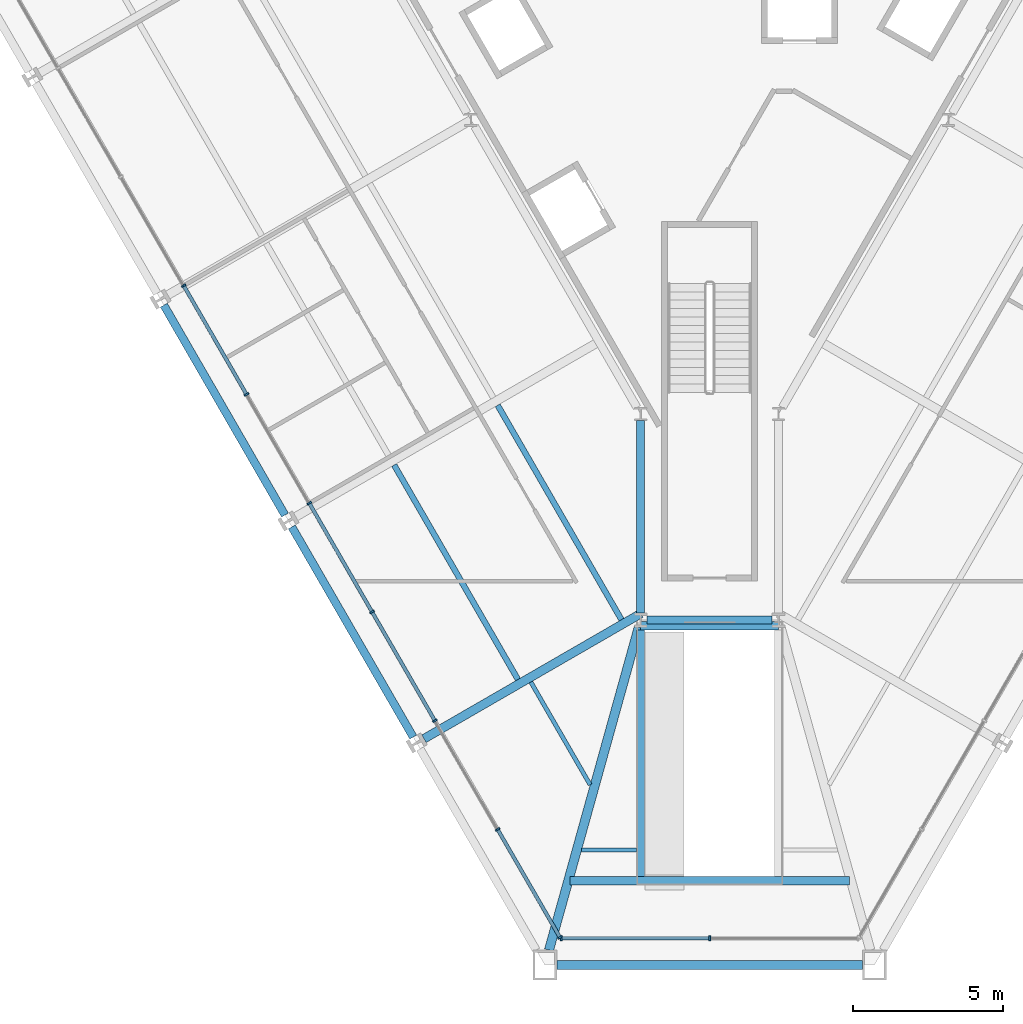
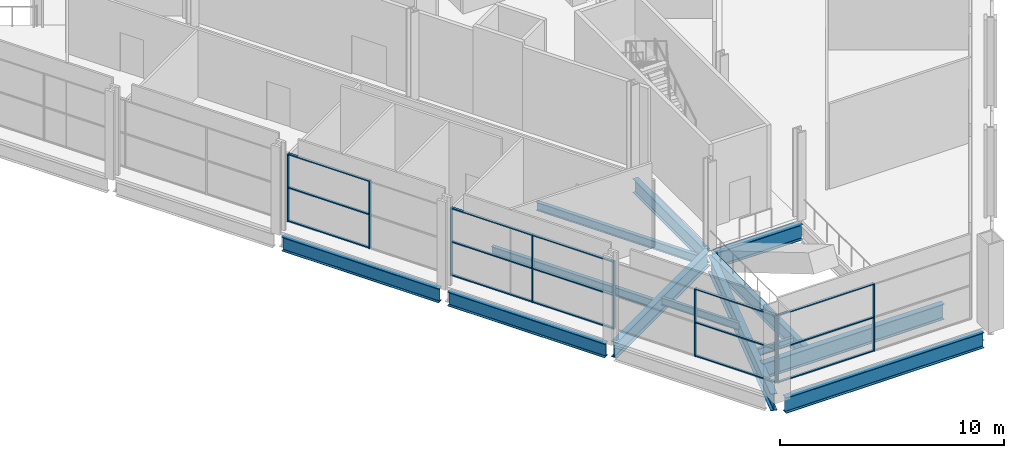
# One storey, part 2 of 18: 24 members, 14 beams, 2 elements without a shape of their own.
"""IFC4 building model written with IfcOpenShell, lengths in metres."""

from ifc_helpers import new_model, si_unit, direction, frame, origin, origin_2d, place, context, subcontext, project, spatial, rectangle, i_section, extrude, material, layer, layer_set, material_profile, profile_set, type_object, element, aggregate, save


model = new_model("IFC4")

# Units and contexts
model_context = context("Model", 3, precision=1e-05, world=origin(), true_north=direction((0.0, 1.0)))
body_context = subcontext(model_context, "Body", "Model", "MODEL_VIEW")
ifc_project = project(units=[si_unit("LENGTHUNIT", "METRE"), si_unit("AREAUNIT", "SQUARE_METRE"), si_unit("VOLUMEUNIT", "CUBIC_METRE"), si_unit("PLANEANGLEUNIT", "RADIAN"), si_unit("MASSUNIT", "GRAM", prefix="KILO")], contexts=[model_context])

# Site, building, storey
site_placement = place(None, origin())
site = spatial("IfcSite", under=ifc_project, at=site_placement, CompositionType="ELEMENT")
building_placement = place(site_placement, origin())
building = spatial("IfcBuilding", under=site, at=building_placement, Name="Verrane Prism Tower", CompositionType="ELEMENT")
storey_placement = place(building_placement, frame((0.0, 0.0, 22.39990234375)))
storey = spatial("IfcBuildingStorey", under=building, at=storey_placement, Name="L03", CompositionType="ELEMENT", Elevation=22.39990234375)

# Curtain wall, members
ifc_material_1 = material(Name="Aluminium and glass curtain wall", Category="aluminium")
ifc_layer = layer(ifc_material_1, 0.199951171875)
ifc_layer_set = layer_set([ifc_layer], Name="CWB-1 retail curtain wall")
curtain_wall_type = type_object("IfcCurtainWallType", Name="CWB-1 retail curtain wall", PredefinedType="NOTDEFINED", material=ifc_layer_set)
curtain_wall_1_placement = place(storey_placement, origin())
curtain_wall_1 = element("IfcCurtainWall", 1, at=curtain_wall_1_placement, inside=storey, type_object=curtain_wall_type, Name="Retail curtain wall L03 4", PredefinedType="NOTDEFINED")
ifc_material_2 = material(Name="Aluminium", Category="aluminium")
ifc_material_profile_1 = material_profile(ifc_material_2, rectangle(XDim=0.159912109375, YDim=0.06005859375, at=origin_2d()), Name="CWB-M 60x160 mullion")
ifc_profile_set_1 = profile_set([ifc_material_profile_1], Name="Aluminium")
member_type_1 = type_object("IfcMemberType", Name="CWB-M 60x160 mullion", PredefinedType="MULLION", material=ifc_profile_set_1)
member_1_placement = place(storey_placement, frame((-17.554443359375, -10.135009765625, 0.0), z_axis=(0.0, 0.0, 1.0), x_axis=(0.866025335097, 0.50000011897, 0.0)))
member_1 = element("IfcMember", 2, at=member_1_placement, type_object=member_type_1, Name="CWB34 mullion 7", PredefinedType="MULLION", context=body_context, shape_type="SweptSolid", body=[
    extrude(rectangle(XDim=0.159912109375, YDim=0.06005859375, at=origin_2d()), origin(), (0.0, 0.0, 1.0), 3.690185546875),
])
member_2_placement = place(storey_placement, frame((-15.458740234375, -13.764892578125, 0.0), z_axis=(0.0, 0.0, 1.0), x_axis=(0.866025335097, 0.50000011897, 0.0)))
member_2 = element("IfcMember", 3, at=member_2_placement, type_object=member_type_1, Name="CWB34 mullion 8", PredefinedType="MULLION", context=body_context, shape_type="SweptSolid", body=[
    extrude(rectangle(XDim=0.159912109375, YDim=0.06005859375, at=origin_2d()), origin(), (0.0, 0.0, 1.0), 3.690185546875),
])
member_3_placement = place(storey_placement, frame((-13.363037109375, -17.39453125, 0.0), z_axis=(0.0, 0.0, 1.0), x_axis=(0.866025335097, 0.50000011897, 0.0)))
member_3 = element("IfcMember", 4, at=member_3_placement, type_object=member_type_1, Name="CWB34 mullion 9", PredefinedType="MULLION", context=body_context, shape_type="SweptSolid", body=[
    extrude(rectangle(XDim=0.159912109375, YDim=0.06005859375, at=origin_2d()), origin(), (0.0, 0.0, 1.0), 3.690185546875),
])
member_4_placement = place(storey_placement, frame((-11.267333984375, -21.0244140625, 0.0), z_axis=(0.0, 0.0, 1.0), x_axis=(0.866025335097, 0.50000011897, 0.0)))
member_4 = element("IfcMember", 5, at=member_4_placement, type_object=member_type_1, Name="CWB34 mullion 10", PredefinedType="MULLION", context=body_context, shape_type="SweptSolid", body=[
    extrude(rectangle(XDim=0.159912109375, YDim=0.06005859375, at=origin_2d()), origin(), (0.0, 0.0, 1.0), 3.690185546875),
])
member_5_placement = place(storey_placement, frame((-9.171630859375, -24.654052734375, 0.0), z_axis=(0.0, 0.0, 1.0), x_axis=(0.866025335097, 0.50000011897, 0.0)))
member_5 = element("IfcMember", 6, at=member_5_placement, type_object=member_type_1, Name="CWB34 mullion 11", PredefinedType="MULLION", context=body_context, shape_type="SweptSolid", body=[
    extrude(rectangle(XDim=0.159912109375, YDim=0.06005859375, at=origin_2d()), origin(), (0.0, 0.0, 1.0), 3.690185546875),
])
member_6_placement = place(storey_placement, frame((-7.075927734375, -28.283935546875, 0.0), z_axis=(0.0, 0.0, 1.0), x_axis=(0.866025335097, 0.50000011897, 0.0)))
member_6 = element("IfcMember", 7, at=member_6_placement, type_object=member_type_1, Name="CWB34 mullion 12", PredefinedType="MULLION", context=body_context, shape_type="SweptSolid", body=[
    extrude(rectangle(XDim=0.159912109375, YDim=0.06005859375, at=origin_2d()), origin(), (0.0, 0.0, 1.0), 3.690185546875),
])
member_7_placement = place(storey_placement, frame((-4.995361328125, -31.8876953125, 0.0), z_axis=(0.0, 0.0, 1.0), x_axis=(0.866025335097, 0.50000011897, 0.0)))
member_7 = element("IfcMember", 8, at=member_7_placement, type_object=member_type_1, Name="CWB34 mullion 13", PredefinedType="MULLION", context=body_context, shape_type="SweptSolid", body=[
    extrude(rectangle(XDim=0.159912109375, YDim=0.06005859375, at=origin_2d()), origin(), (0.0, 0.0, 1.0), 3.690185546875),
])

curtain_wall_2_placement = place(storey_placement, origin())
curtain_wall_2 = element("IfcCurtainWall", 9, at=curtain_wall_2_placement, inside=storey, type_object=curtain_wall_type, Name="Retail curtain wall L03 5", PredefinedType="NOTDEFINED")
member_8_placement = place(storey_placement, frame((-4.950439453125, -31.913818359375, 0.0), z_axis=(0.0, 0.0, 1.0), x_axis=(0.0, 1.0, 0.0)))
member_8 = element("IfcMember", 10, at=member_8_placement, type_object=member_type_1, Name="CWB35 mullion 1", PredefinedType="MULLION", context=body_context, shape_type="SweptSolid", body=[
    extrude(rectangle(XDim=0.159912109375, YDim=0.06005859375, at=origin_2d()), origin(), (0.0, 0.0, 1.0), 3.690185546875),
])
member_9_placement = place(storey_placement, frame((0.0, -31.913818359375, 0.0), z_axis=(0.0, 0.0, 1.0), x_axis=(0.0, 1.0, 0.0)))
member_9 = element("IfcMember", 11, at=member_9_placement, type_object=member_type_1, Name="CWB35 mullion 2", PredefinedType="MULLION", context=body_context, shape_type="SweptSolid", body=[
    extrude(rectangle(XDim=0.159912109375, YDim=0.06005859375, at=origin_2d()), origin(), (0.0, 0.0, 1.0), 3.690185546875),
])

# Member
ifc_material_3 = material(Name="Aluminium", Category="aluminium")
ifc_material_profile_2 = material_profile(ifc_material_3, rectangle(XDim=0.1201171875, YDim=0.06005859375, at=origin_2d()), Name="CWB-T 60x120 transom")
ifc_profile_set_2 = profile_set([ifc_material_profile_2], Name="Aluminium")
member_type_2 = type_object("IfcMemberType", Name="CWB-T 60x120 transom", PredefinedType="USERDEFINED", material=ifc_profile_set_2)
member_10_placement = place(storey_placement, frame((-17.539306640625, -10.160888671875, 0.030029296875), z_axis=(0.499996977546, -0.866027148792, 0.0), x_axis=(0.866027148792, 0.499996977546, 0.0)))
member_10 = element("IfcMember", 12, at=member_10_placement, type_object=member_type_2, Name="CWB34 transom 7.1", ObjectType="TRANSOM", PredefinedType="USERDEFINED", context=body_context, shape_type="SweptSolid", body=[
    extrude(rectangle(XDim=0.1201171875, YDim=0.06005859375, at=origin_2d()), origin(), (0.0, 0.0, 1.0), 4.13134765625),
])

member_11_placement = place(storey_placement, frame((-17.539306640625, -10.160888671875, 1.84521484375), z_axis=(0.499996977546, -0.866027148792, 0.0), x_axis=(0.866027148792, 0.499996977546, 0.0)))
member_11 = element("IfcMember", 13, at=member_11_placement, type_object=member_type_2, Name="CWB34 transom 7.2", ObjectType="TRANSOM", PredefinedType="USERDEFINED", context=body_context, shape_type="SweptSolid", body=[
    extrude(rectangle(XDim=0.1201171875, YDim=0.06005859375, at=origin_2d()), origin(), (0.0, 0.0, 1.0), 4.13134765625),
])

member_12_placement = place(storey_placement, frame((-17.539306640625, -10.160888671875, 3.66015625), z_axis=(0.499996977546, -0.866027148792, 0.0), x_axis=(0.866027148792, 0.499996977546, 0.0)))
member_12 = element("IfcMember", 14, at=member_12_placement, type_object=member_type_2, Name="CWB34 transom 7.3", ObjectType="TRANSOM", PredefinedType="USERDEFINED", context=body_context, shape_type="SweptSolid", body=[
    extrude(rectangle(XDim=0.1201171875, YDim=0.06005859375, at=origin_2d()), origin(), (0.0, 0.0, 1.0), 4.13134765625),
])

member_13_placement = place(storey_placement, frame((-13.347900390625, -17.420654296875, 0.030029296875), z_axis=(0.499978243488, -0.866037964548, 0.0), x_axis=(0.866037964548, 0.499978243488, 0.0)))
member_13 = element("IfcMember", 15, at=member_13_placement, type_object=member_type_2, Name="CWB34 transom 9.1", ObjectType="TRANSOM", PredefinedType="USERDEFINED", context=body_context, shape_type="SweptSolid", body=[
    extrude(rectangle(XDim=0.1201171875, YDim=0.06005859375, at=origin_2d()), origin(), (0.0, 0.0, 1.0), 4.131103515625),
])

member_14_placement = place(storey_placement, frame((-13.347900390625, -17.420654296875, 1.84521484375), z_axis=(0.499978243488, -0.866037964548, 0.0), x_axis=(0.866037964548, 0.499978243488, 0.0)))
member_14 = element("IfcMember", 16, at=member_14_placement, type_object=member_type_2, Name="CWB34 transom 9.2", ObjectType="TRANSOM", PredefinedType="USERDEFINED", context=body_context, shape_type="SweptSolid", body=[
    extrude(rectangle(XDim=0.1201171875, YDim=0.06005859375, at=origin_2d()), origin(), (0.0, 0.0, 1.0), 4.131103515625),
])

member_15_placement = place(storey_placement, frame((-13.347900390625, -17.420654296875, 3.66015625), z_axis=(0.499978243488, -0.866037964548, 0.0), x_axis=(0.866037964548, 0.499978243488, 0.0)))
member_15 = element("IfcMember", 17, at=member_15_placement, type_object=member_type_2, Name="CWB34 transom 9.3", ObjectType="TRANSOM", PredefinedType="USERDEFINED", context=body_context, shape_type="SweptSolid", body=[
    extrude(rectangle(XDim=0.1201171875, YDim=0.06005859375, at=origin_2d()), origin(), (0.0, 0.0, 1.0), 4.131103515625),
])

member_16_placement = place(storey_placement, frame((-11.25244140625, -21.05029296875, 0.030029296875), z_axis=(0.499996977546, -0.866027148792, 0.0), x_axis=(0.866027148792, 0.499996977546, 0.0)))
member_16 = element("IfcMember", 18, at=member_16_placement, type_object=member_type_2, Name="CWB34 transom 10.1", ObjectType="TRANSOM", PredefinedType="USERDEFINED", context=body_context, shape_type="SweptSolid", body=[
    extrude(rectangle(XDim=0.1201171875, YDim=0.06005859375, at=origin_2d()), origin(), (0.0, 0.0, 1.0), 4.13134765625),
])

member_17_placement = place(storey_placement, frame((-11.25244140625, -21.05029296875, 1.84521484375), z_axis=(0.499996977546, -0.866027148792, 0.0), x_axis=(0.866027148792, 0.499996977546, 0.0)))
member_17 = element("IfcMember", 19, at=member_17_placement, type_object=member_type_2, Name="CWB34 transom 10.2", ObjectType="TRANSOM", PredefinedType="USERDEFINED", context=body_context, shape_type="SweptSolid", body=[
    extrude(rectangle(XDim=0.1201171875, YDim=0.06005859375, at=origin_2d()), origin(), (0.0, 0.0, 1.0), 4.13134765625),
])

member_18_placement = place(storey_placement, frame((-11.25244140625, -21.05029296875, 3.66015625), z_axis=(0.499996977546, -0.866027148792, 0.0), x_axis=(0.866027148792, 0.499996977546, 0.0)))
member_18 = element("IfcMember", 20, at=member_18_placement, type_object=member_type_2, Name="CWB34 transom 10.3", ObjectType="TRANSOM", PredefinedType="USERDEFINED", context=body_context, shape_type="SweptSolid", body=[
    extrude(rectangle(XDim=0.1201171875, YDim=0.06005859375, at=origin_2d()), origin(), (0.0, 0.0, 1.0), 4.13134765625),
])

member_19_placement = place(storey_placement, frame((-7.06103515625, -28.309814453125, 0.030029296875), z_axis=(0.499961200281, -0.866047803654, 0.0), x_axis=(0.866047803654, 0.499961200281, 0.0)))
member_19 = element("IfcMember", 21, at=member_19_placement, type_object=member_type_2, Name="CWB34 transom 12.1", ObjectType="TRANSOM", PredefinedType="USERDEFINED", context=body_context, shape_type="SweptSolid", body=[
    extrude(rectangle(XDim=0.1201171875, YDim=0.06005859375, at=origin_2d()), origin(), (0.0, 0.0, 1.0), 4.101318359375),
])

member_20_placement = place(storey_placement, frame((-7.06103515625, -28.309814453125, 1.84521484375), z_axis=(0.499961200281, -0.866047803654, 0.0), x_axis=(0.866047803654, 0.499961200281, 0.0)))
member_20 = element("IfcMember", 22, at=member_20_placement, type_object=member_type_2, Name="CWB34 transom 12.2", ObjectType="TRANSOM", PredefinedType="USERDEFINED", context=body_context, shape_type="SweptSolid", body=[
    extrude(rectangle(XDim=0.1201171875, YDim=0.06005859375, at=origin_2d()), origin(), (0.0, 0.0, 1.0), 4.101318359375),
])

member_21_placement = place(storey_placement, frame((-7.06103515625, -28.309814453125, 3.66015625), z_axis=(0.499961200281, -0.866047803654, 0.0), x_axis=(0.866047803654, 0.499961200281, 0.0)))
member_21 = element("IfcMember", 23, at=member_21_placement, type_object=member_type_2, Name="CWB34 transom 12.3", ObjectType="TRANSOM", PredefinedType="USERDEFINED", context=body_context, shape_type="SweptSolid", body=[
    extrude(rectangle(XDim=0.1201171875, YDim=0.06005859375, at=origin_2d()), origin(), (0.0, 0.0, 1.0), 4.101318359375),
])

aggregate(curtain_wall_1, [member_1, member_2, member_3, member_4, member_5, member_6, member_7, member_10, member_11, member_12, member_13, member_14, member_15, member_16, member_17, member_18, member_19, member_20, member_21])

member_22_placement = place(storey_placement, frame((-4.92041015625, -31.913818359375, 0.030029296875), z_axis=(1.0, 0.0, 0.0), x_axis=(0.0, 1.0, 0.0)))
member_22 = element("IfcMember", 24, at=member_22_placement, type_object=member_type_2, Name="CWB35 transom 1.1", ObjectType="TRANSOM", PredefinedType="USERDEFINED", context=body_context, shape_type="SweptSolid", body=[
    extrude(rectangle(XDim=0.1201171875, YDim=0.06005859375, at=origin_2d()), origin(), (0.0, 0.0, 1.0), 4.890380859375),
])

member_23_placement = place(storey_placement, frame((-4.92041015625, -31.913818359375, 1.84521484375), z_axis=(1.0, 0.0, 0.0), x_axis=(0.0, 1.0, 0.0)))
member_23 = element("IfcMember", 25, at=member_23_placement, type_object=member_type_2, Name="CWB35 transom 1.2", ObjectType="TRANSOM", PredefinedType="USERDEFINED", context=body_context, shape_type="SweptSolid", body=[
    extrude(rectangle(XDim=0.1201171875, YDim=0.06005859375, at=origin_2d()), origin(), (0.0, 0.0, 1.0), 4.890380859375),
])

member_24_placement = place(storey_placement, frame((-4.92041015625, -31.913818359375, 3.66015625), z_axis=(1.0, 0.0, 0.0), x_axis=(0.0, 1.0, 0.0)))
member_24 = element("IfcMember", 26, at=member_24_placement, type_object=member_type_2, Name="CWB35 transom 1.3", ObjectType="TRANSOM", PredefinedType="USERDEFINED", context=body_context, shape_type="SweptSolid", body=[
    extrude(rectangle(XDim=0.1201171875, YDim=0.06005859375, at=origin_2d()), origin(), (0.0, 0.0, 1.0), 4.890380859375),
])

aggregate(curtain_wall_2, [member_8, member_9, member_22, member_23, member_24])

# Beams
ifc_material_4 = material(Name="Steel A992", Category="steel")
ifc_material_profile_3 = material_profile(ifc_material_4, i_section(OverallWidth=0.2919921875, OverallDepth=0.845703125, WebThickness=0.015380859375, FlangeThickness=0.0244140625, FilletRadius=0.017822265625, at=origin_2d()), Name="W33x141")
ifc_profile_set_3 = profile_set([ifc_material_profile_3], Name="Steel A992")
beam_type_1 = type_object("IfcBeamType", Name="Chamfer spandrel beam W33x141", PredefinedType="SPANDREL", material=ifc_profile_set_3)
beam_1_placement = place(storey_placement, frame((-5.10009765625, -32.81005859375, -0.582763671875), z_axis=(1.0, 0.0, 0.0), x_axis=(0.0, 1.0, 0.0)))
element("IfcBeam", 27, at=beam_1_placement, inside=storey, type_object=beam_type_1, Name="Chamfer spandrel beam L03", PredefinedType="SPANDREL", context=body_context, shape_type="SweptSolid", body=[
    extrude(i_section(OverallWidth=0.2919921875, OverallDepth=0.845703125, WebThickness=0.015380859375, FlangeThickness=0.0244140625, FilletRadius=0.017822265625, at=origin_2d()), origin(), (0.0, 0.0, 1.0), 10.2001953125),
])
ifc_material_5 = material(Name="Steel A992", Category="steel")
ifc_material_profile_4 = material_profile(ifc_material_5, i_section(OverallWidth=0.2666015625, OverallDepth=0.76708984375, WebThickness=0.014892578125, FlangeThickness=0.023681640625, FilletRadius=0.0166015625, at=origin_2d()), Name="W30x124")
ifc_profile_set_4 = profile_set([ifc_material_profile_4], Name="Steel A992")
beam_type_2 = type_object("IfcBeamType", Name="Core ring girder W30x124", PredefinedType="BEAM", material=ifc_profile_set_4)
beam_2_placement = place(storey_placement, frame((-2.300048828125, -14.63720703125, -0.63330078125), z_axis=(0.0, -1.0, 0.0), x_axis=(1.0, 0.0, 0.0)))
element("IfcBeam", 28, at=beam_2_placement, inside=storey, type_object=beam_type_2, Name="Core ring girder L03", PredefinedType="BEAM", context=body_context, shape_type="SweptSolid", body=[
    extrude(i_section(OverallWidth=0.2666015625, OverallDepth=0.76708984375, WebThickness=0.014892578125, FlangeThickness=0.023681640625, FilletRadius=0.0166015625, at=origin_2d()), origin(), (0.0, 0.0, 1.0), 6.42529296875),
])
beam_3_placement = place(storey_placement, frame((-2.087890625, -21.300048828125, -0.63330078125), z_axis=(1.0, 0.0, 0.0), x_axis=(0.0, 1.0, 0.0)))
element("IfcBeam", 29, at=beam_3_placement, inside=storey, type_object=beam_type_2, Name="Core ring girder L03", PredefinedType="BEAM", context=body_context, shape_type="SweptSolid", body=[
    extrude(i_section(OverallWidth=0.2666015625, OverallDepth=0.76708984375, WebThickness=0.014892578125, FlangeThickness=0.023681640625, FilletRadius=0.0166015625, at=origin_2d()), origin(), (0.0, 0.0, 1.0), 4.17578125),
])
ifc_material_6 = material(Name="Steel A992", Category="steel")
ifc_material_profile_5 = material_profile(ifc_material_6, i_section(OverallWidth=0.307373046875, OverallDepth=0.927001953125, WebThickness=0.01953125, FlangeThickness=0.031982421875, FilletRadius=0.01904296875, at=origin_2d()), Name="W36x194")
ifc_profile_set_5 = profile_set([ifc_material_profile_5], Name="Steel A992")
beam_type_3 = type_object("IfcBeamType", Name="Corner girder W36x194", PredefinedType="BEAM", material=ifc_profile_set_5)
beam_4_placement = place(storey_placement, frame((-5.361083984375, -32.31005859375, -0.68359375), z_axis=(0.267873594468, 0.963454066049, 0.0), x_axis=(-0.963454066049, 0.267873594468, 0.0)))
element("IfcBeam", 30, at=beam_4_placement, inside=storey, type_object=beam_type_3, Name="Corner girder L03", PredefinedType="BEAM", context=body_context, shape_type="SweptSolid", body=[
    extrude(i_section(OverallWidth=0.307373046875, OverallDepth=0.927001953125, WebThickness=0.01953125, FlangeThickness=0.031982421875, FilletRadius=0.01904296875, at=origin_2d()), origin(), (0.0, 0.0, 1.0), 11.18115234375),
])
ifc_material_7 = material(Name="Steel A992", Category="steel")
ifc_material_profile_6 = material_profile(ifc_material_7, i_section(OverallWidth=0.140380859375, OverallDepth=0.40380859375, WebThickness=0.007080078125, FlangeThickness=0.01123046875, FilletRadius=0.01025390625, at=origin_2d()), Name="W16x31")
ifc_profile_set_6 = profile_set([ifc_material_profile_6], Name="Steel A992")
beam_type_4 = type_object("IfcBeamType", Name="Floor beam W16x31", PredefinedType="BEAM", material=ifc_profile_set_6)
beam_5_placement = place(storey_placement, frame((-3.9873046875, -26.795654296875, -0.36181640625), z_axis=(-0.499978641112, 0.866037734993, 0.0), x_axis=(-0.866037734993, -0.499978641112, 0.0)))
element("IfcBeam", 31, at=beam_5_placement, inside=storey, type_object=beam_type_4, Name="Floor beam L03", PredefinedType="BEAM", context=body_context, shape_type="SweptSolid", body=[
    extrude(i_section(OverallWidth=0.140380859375, OverallDepth=0.40380859375, WebThickness=0.007080078125, FlangeThickness=0.01123046875, FilletRadius=0.01025390625, at=origin_2d()), origin(), (0.0, 0.0, 1.0), 3.959716796875),
])
beam_6_placement = place(storey_placement, frame((-4.27392578125, -28.973388671875, -0.36181640625), z_axis=(1.0, 0.0, 0.0), x_axis=(0.0, 1.0, 0.0)))
element("IfcBeam", 32, at=beam_6_placement, inside=storey, type_object=beam_type_4, Name="Floor beam L03", PredefinedType="BEAM", context=body_context, shape_type="SweptSolid", body=[
    extrude(i_section(OverallWidth=0.140380859375, OverallDepth=0.40380859375, WebThickness=0.007080078125, FlangeThickness=0.01123046875, FilletRadius=0.01025390625, at=origin_2d()), origin(), (0.0, 0.0, 1.0), 1.84033203125),
])
ifc_material_8 = material(Name="Steel A992", Category="steel")
ifc_material_profile_7 = material_profile(ifc_material_8, i_section(OverallWidth=0.1904296875, OverallDepth=0.457275390625, WebThickness=0.009033203125, FlangeThickness=0.014404296875, FilletRadius=0.01025390625, at=origin_2d()), Name="W18x50")
ifc_profile_set_7 = profile_set([ifc_material_profile_7], Name="Steel A992")
beam_type_5 = type_object("IfcBeamType", Name="Floor beam W18x50", PredefinedType="BEAM", material=ifc_profile_set_7)
beam_7_placement = place(storey_placement, frame((-2.943603515625, -21.283203125, -0.388427734375), z_axis=(-0.500014123243, 0.866017249573, 0.0), x_axis=(-0.866017249573, -0.500014123243, 0.0)))
element("IfcBeam", 33, at=beam_7_placement, inside=storey, type_object=beam_type_5, Name="Floor beam L03", PredefinedType="BEAM", context=body_context, shape_type="SweptSolid", body=[
    extrude(i_section(OverallWidth=0.1904296875, OverallDepth=0.457275390625, WebThickness=0.009033203125, FlangeThickness=0.014404296875, FilletRadius=0.01025390625, at=origin_2d()), origin(), (0.0, 0.0, 1.0), 8.260009765625),
])
beam_8_placement = place(storey_placement, frame((-6.39892578125, -23.27880859375, -0.388427734375), z_axis=(-0.499996977546, 0.866027148792, 0.0), x_axis=(-0.866027148792, -0.499996977546, 0.0)))
element("IfcBeam", 34, at=beam_8_placement, inside=storey, type_object=beam_type_5, Name="Floor beam L03", PredefinedType="BEAM", context=body_context, shape_type="SweptSolid", body=[
    extrude(i_section(OverallWidth=0.1904296875, OverallDepth=0.457275390625, WebThickness=0.009033203125, FlangeThickness=0.014404296875, FilletRadius=0.01025390625, at=origin_2d()), origin(), (0.0, 0.0, 1.0), 8.2626953125),
])
ifc_material_9 = material(Name="Steel A992", Category="steel")
ifc_material_profile_8 = material_profile(ifc_material_9, i_section(OverallWidth=0.2919921875, OverallDepth=0.845703125, WebThickness=0.015380859375, FlangeThickness=0.0244140625, FilletRadius=0.017822265625, at=origin_2d()), Name="W33x141")
ifc_profile_set_8 = profile_set([ifc_material_profile_8], Name="Steel A992")
beam_type_6 = type_object("IfcBeamType", Name="Radial girder W33x141", PredefinedType="BEAM", material=ifc_profile_set_8)
beam_9_placement = place(storey_placement, frame((-9.53369140625, -25.2578125, -0.642822265625), z_axis=(0.866016684991, 0.500015101088, 0.0), x_axis=(-0.500015101088, 0.866016684991, 0.0)))
element("IfcBeam", 35, at=beam_9_placement, inside=storey, type_object=beam_type_6, Name="Radial girder L03", PredefinedType="BEAM", context=body_context, shape_type="SweptSolid", body=[
    extrude(i_section(OverallWidth=0.2919921875, OverallDepth=0.845703125, WebThickness=0.015380859375, FlangeThickness=0.0244140625, FilletRadius=0.017822265625, at=origin_2d()), origin(), (0.0, 0.0, 1.0), 8.352783203125),
])
ifc_material_10 = material(Name="Steel A992", Category="steel")
ifc_material_profile_9 = material_profile(ifc_material_10, i_section(OverallWidth=0.2666015625, OverallDepth=0.76708984375, WebThickness=0.014892578125, FlangeThickness=0.023681640625, FilletRadius=0.0166015625, at=origin_2d()), Name="W30x124")
ifc_profile_set_9 = profile_set([ifc_material_profile_9], Name="Steel A992")
beam_type_7 = type_object("IfcBeamType", Name="Slab edge girder W30x124", PredefinedType="BEAM", material=ifc_profile_set_9)
beam_10_placement = place(storey_placement, frame((-2.300048828125, -21.6298828125, -0.54345703125), z_axis=(0.0, -1.0, 0.0), x_axis=(1.0, 0.0, 0.0)))
element("IfcBeam", 36, at=beam_10_placement, inside=storey, type_object=beam_type_7, Name="Slab edge girder L03", PredefinedType="BEAM", context=body_context, shape_type="SweptSolid", body=[
    extrude(i_section(OverallWidth=0.2666015625, OverallDepth=0.76708984375, WebThickness=0.014892578125, FlangeThickness=0.023681640625, FilletRadius=0.0166015625, at=origin_2d()), origin(), (0.0, 0.0, 1.0), 8.230224609375),
])
ifc_material_11 = material(Name="Steel A992", Category="steel")
ifc_material_profile_10 = material_profile(ifc_material_11, i_section(OverallWidth=0.2919921875, OverallDepth=0.845703125, WebThickness=0.015380859375, FlangeThickness=0.0244140625, FilletRadius=0.017822265625, at=origin_2d()), Name="W33x141")
ifc_profile_set_10 = profile_set([ifc_material_profile_10], Name="Steel A992")
beam_type_8 = type_object("IfcBeamType", Name="Slab edge girder W33x141", PredefinedType="BEAM", material=ifc_profile_set_10)
beam_11_placement = place(storey_placement, frame((-4.668701171875, -30.0, -0.582763671875), z_axis=(1.0, 0.0, 0.0), x_axis=(0.0, 1.0, 0.0)))
element("IfcBeam", 37, at=beam_11_placement, inside=storey, type_object=beam_type_8, Name="Slab edge girder L03", PredefinedType="BEAM", context=body_context, shape_type="SweptSolid", body=[
    extrude(i_section(OverallWidth=0.2919921875, OverallDepth=0.845703125, WebThickness=0.015380859375, FlangeThickness=0.0244140625, FilletRadius=0.017822265625, at=origin_2d()), origin(), (0.0, 0.0, 1.0), 9.33740234375),
])
beam_12_placement = place(storey_placement, frame((2.302734375, -21.489990234375, -0.582763671875), z_axis=(-1.0, 0.0, 0.0), x_axis=(0.0, -1.0, 0.0)))
element("IfcBeam", 38, at=beam_12_placement, inside=storey, type_object=beam_type_8, Name="Slab edge girder L03", PredefinedType="BEAM", context=body_context, shape_type="SweptSolid", body=[
    extrude(i_section(OverallWidth=0.2919921875, OverallDepth=0.845703125, WebThickness=0.015380859375, FlangeThickness=0.0244140625, FilletRadius=0.017822265625, at=origin_2d()), origin(), (0.0, 0.0, 1.0), 4.60546875),
])
ifc_material_12 = material(Name="Steel A992", Category="steel")
ifc_material_profile_11 = material_profile(ifc_material_12, i_section(OverallWidth=0.2666015625, OverallDepth=0.76708984375, WebThickness=0.014892578125, FlangeThickness=0.023681640625, FilletRadius=0.0166015625, at=origin_2d()), Name="W30x124")
ifc_profile_set_11 = profile_set([ifc_material_profile_11], Name="Steel A992")
beam_type_9 = type_object("IfcBeamType", Name="Spandrel beam W30x124", PredefinedType="SPANDREL", material=ifc_profile_set_11)
beam_13_placement = place(storey_placement, frame((-18.21630859375, -10.786865234375, -0.54345703125), z_axis=(0.499778193066, -0.86615342621, 0.0), x_axis=(0.86615342621, 0.499778193066, 0.0)))
element("IfcBeam", 39, at=beam_13_placement, inside=storey, type_object=beam_type_9, Name="Spandrel beam L03", PredefinedType="SPANDREL", context=body_context, shape_type="SweptSolid", body=[
    extrude(i_section(OverallWidth=0.2666015625, OverallDepth=0.76708984375, WebThickness=0.014892578125, FlangeThickness=0.023681640625, FilletRadius=0.0166015625, at=origin_2d()), origin(), (0.0, 0.0, 1.0), 8.089111328125),
])
beam_14_placement = place(storey_placement, frame((-13.9462890625, -18.18701171875, -0.54345703125), z_axis=(0.500160624136, -0.865932647533, 0.0), x_axis=(0.865932647533, 0.500160624136, 0.0)))
element("IfcBeam", 40, at=beam_14_placement, inside=storey, type_object=beam_type_9, Name="Spandrel beam L03", PredefinedType="SPANDREL", context=body_context, shape_type="SweptSolid", body=[
    extrude(i_section(OverallWidth=0.2666015625, OverallDepth=0.76708984375, WebThickness=0.014892578125, FlangeThickness=0.023681640625, FilletRadius=0.0166015625, at=origin_2d()), origin(), (0.0, 0.0, 1.0), 8.102294921875),
])

save(model, "model.ifc")
